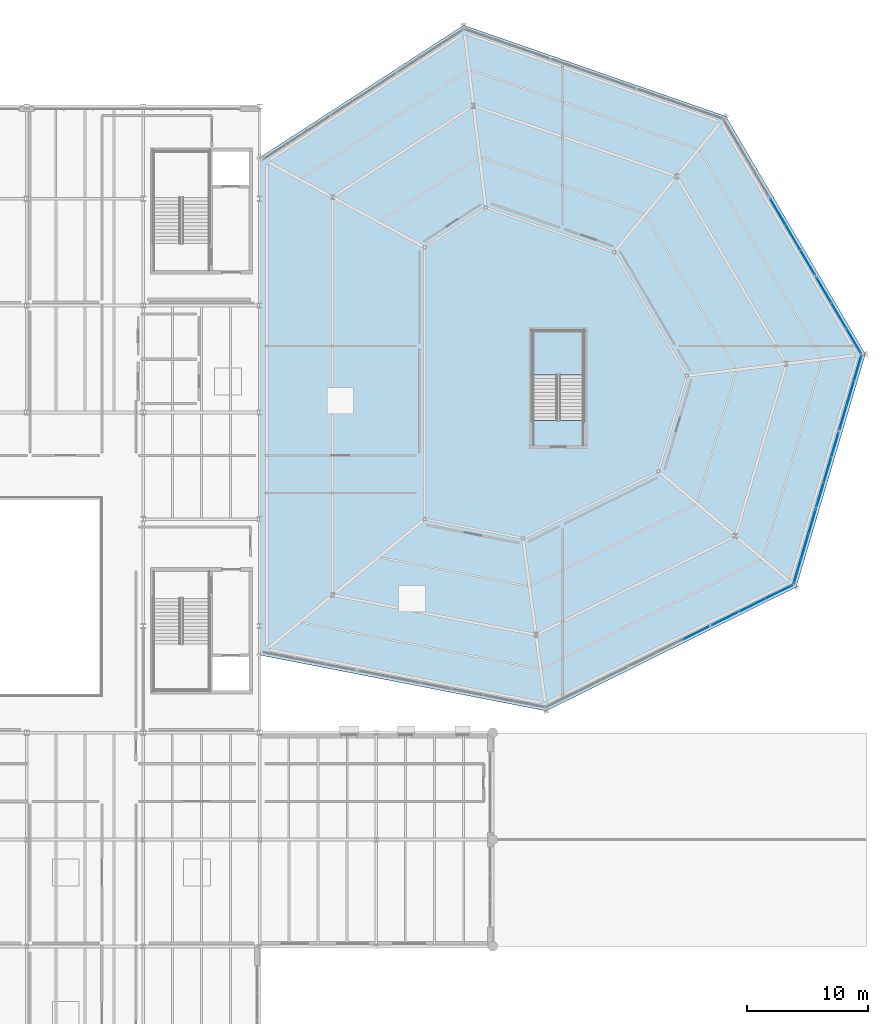
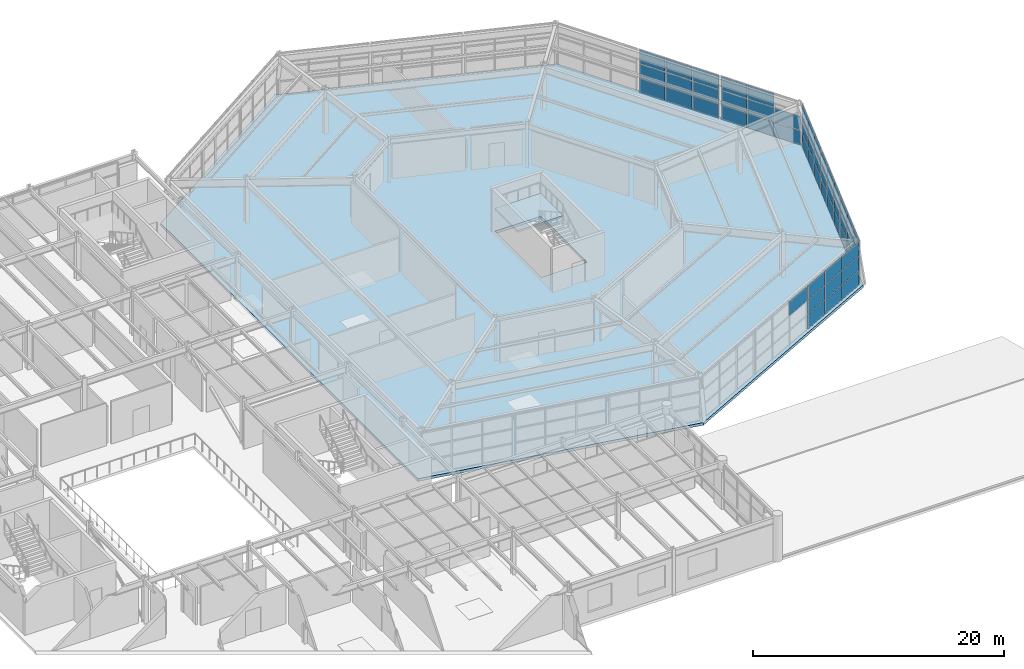
# One storey, part 51 of 77: 54 plates, 2 slabs, 8 elements without a shape of their own.
"""IFC4 building model written with IfcOpenShell, lengths in metres."""

from ifc_helpers import new_model, si_unit, direction, frame, origin, origin_2d, place, context, subcontext, project, spatial, polyline, rectangle, outline, extrude, material, layer, layer_set, type_object, element, aggregate, save


model = new_model("IFC4")

# Units and contexts
model_context = context("Model", 3, precision=1e-05, world=origin(), true_north=direction((0.0, 1.0)))
body_context = subcontext(model_context, "Body", "Model", "MODEL_VIEW")
ifc_project = project(units=[si_unit("LENGTHUNIT", "METRE"), si_unit("AREAUNIT", "SQUARE_METRE"), si_unit("VOLUMEUNIT", "CUBIC_METRE"), si_unit("PLANEANGLEUNIT", "RADIAN"), si_unit("MASSUNIT", "GRAM", prefix="KILO")], contexts=[model_context])

# Site, building, storey
site_placement = place(None, origin())
site = spatial("IfcSite", under=ifc_project, at=site_placement, CompositionType="ELEMENT")
building_placement = place(site_placement, origin())
building = spatial("IfcBuilding", under=site, at=building_placement, Name="Sarnbrook Museum", CompositionType="ELEMENT")
storey_placement = place(building_placement, frame((0.0, 0.0, 5.60009765625)))
storey = spatial("IfcBuildingStorey", under=building, at=storey_placement, Name="L01", CompositionType="ELEMENT", Elevation=5.60009765625)

# Curtain wall, plate
ifc_material_1 = material(Name="Thermally Broken Anodised Aluminium 6063-T6", Category="aluminium")
curtain_wall_type = type_object("IfcCurtainWallType", Name="CurtainWall_CrystalFacet", PredefinedType="NOTDEFINED", material=ifc_material_1)
curtain_wall_1_placement = place(storey_placement, origin())
curtain_wall_1 = element("IfcCurtainWall", 1, at=curtain_wall_1_placement, inside=storey, type_object=curtain_wall_type, Name="Crystal Hall Facet Curtain Wall L01-F2.2", PredefinedType="NOTDEFINED")
ifc_material_2 = material(Name="Double-Glazed Low-Iron Laminated Safety Glass", Category="glass")
ifc_layer_1 = layer(ifc_material_2, 0.031982421875)
ifc_layer_set_1 = layer_set([ifc_layer_1], Name="Double-Glazed Low-Iron Laminated Safety Glass")
plate_type_1 = type_object("IfcPlateType", Name="CW_GlazedPanel_32", PredefinedType="CURTAIN_PANEL", material=ifc_layer_set_1)
plate_1_placement = place(storey_placement, frame((155.179931640625, 65.05029296875, 3.544921875), z_axis=(0.443728570944, -0.896161232886, 0.0), x_axis=(0.896161232886, 0.443728570944, 0.0)))
plate_1 = element("IfcPlate", 2, at=plate_1_placement, type_object=plate_type_1, Name="Crystal Hall Facet Curtain Wall L01-F2.2 Glazed Panel 3-3", PredefinedType="CURTAIN_PANEL", context=body_context, shape_type="SweptSolid", body=[
    extrude(rectangle(XDim=2.40185546875, YDim=1.320068359375, at=origin_2d()), origin(), (0.0, 0.0, 1.0), 0.031982421875),
])
aggregate(curtain_wall_1, [plate_1])

# Curtain wall, plates
curtain_wall_2_placement = place(storey_placement, origin())
curtain_wall_2 = element("IfcCurtainWall", 3, at=curtain_wall_2_placement, inside=storey, type_object=curtain_wall_type, Name="Crystal Hall Facet Curtain Wall L01-F2.3", PredefinedType="NOTDEFINED")
plate_2_placement = place(storey_placement, frame((157.54296875, 66.22021484375, 2.14990234375), z_axis=(0.443728570944, -0.896161232886, 0.0), x_axis=(0.896161232886, 0.443728570944, 0.0)))
plate_2 = element("IfcPlate", 4, at=plate_2_placement, type_object=plate_type_1, Name="Crystal Hall Facet Curtain Wall L01-F2.3 Glazed Panel 1-2", PredefinedType="CURTAIN_PANEL", context=body_context, shape_type="SweptSolid", body=[
    extrude(rectangle(XDim=2.40185546875, YDim=1.330078125, at=origin_2d()), origin(), (0.0, 0.0, 1.0), 0.031982421875),
])
plate_3_placement = place(storey_placement, frame((157.54296875, 66.22021484375, 3.544921875), z_axis=(0.443728570944, -0.896161232886, 0.0), x_axis=(0.896161232886, 0.443728570944, 0.0)))
plate_3 = element("IfcPlate", 5, at=plate_3_placement, type_object=plate_type_1, Name="Crystal Hall Facet Curtain Wall L01-F2.3 Glazed Panel 1-3", PredefinedType="CURTAIN_PANEL", context=body_context, shape_type="SweptSolid", body=[
    extrude(rectangle(XDim=2.40185546875, YDim=1.320068359375, at=origin_2d()), origin(), (0.0, 0.0, 1.0), 0.031982421875),
])
plate_4_placement = place(storey_placement, frame((159.762451171875, 67.3193359375, 2.14990234375), z_axis=(0.443728570944, -0.896161232886, 0.0), x_axis=(0.896161232886, 0.443728570944, 0.0)))
plate_4 = element("IfcPlate", 6, at=plate_4_placement, type_object=plate_type_1, Name="Crystal Hall Facet Curtain Wall L01-F2.3 Glazed Panel 2-2", PredefinedType="CURTAIN_PANEL", context=body_context, shape_type="SweptSolid", body=[
    extrude(rectangle(XDim=2.40185546875, YDim=1.330078125, at=origin_2d()), origin(), (0.0, 0.0, 1.0), 0.031982421875),
])
plate_5_placement = place(storey_placement, frame((159.762451171875, 67.3193359375, 3.544921875), z_axis=(0.443728570944, -0.896161232886, 0.0), x_axis=(0.896161232886, 0.443728570944, 0.0)))
plate_5 = element("IfcPlate", 7, at=plate_5_placement, type_object=plate_type_1, Name="Crystal Hall Facet Curtain Wall L01-F2.3 Glazed Panel 2-3", PredefinedType="CURTAIN_PANEL", context=body_context, shape_type="SweptSolid", body=[
    extrude(rectangle(XDim=2.40185546875, YDim=1.320068359375, at=origin_2d()), origin(), (0.0, 0.0, 1.0), 0.031982421875),
])
plate_6_placement = place(storey_placement, frame((161.982177734375, 68.418212890625, 2.14990234375), z_axis=(0.443728570944, -0.896161232886, 0.0), x_axis=(0.896161232886, 0.443728570944, 0.0)))
plate_6 = element("IfcPlate", 8, at=plate_6_placement, type_object=plate_type_1, Name="Crystal Hall Facet Curtain Wall L01-F2.3 Glazed Panel 3-2", PredefinedType="CURTAIN_PANEL", context=body_context, shape_type="SweptSolid", body=[
    extrude(rectangle(XDim=2.40185546875, YDim=1.330078125, at=origin_2d()), origin(), (0.0, 0.0, 1.0), 0.031982421875),
])
plate_7_placement = place(storey_placement, frame((161.982177734375, 68.418212890625, 3.544921875), z_axis=(0.443728570944, -0.896161232886, 0.0), x_axis=(0.896161232886, 0.443728570944, 0.0)))
plate_7 = element("IfcPlate", 9, at=plate_7_placement, type_object=plate_type_1, Name="Crystal Hall Facet Curtain Wall L01-F2.3 Glazed Panel 3-3", PredefinedType="CURTAIN_PANEL", context=body_context, shape_type="SweptSolid", body=[
    extrude(rectangle(XDim=2.40185546875, YDim=1.320068359375, at=origin_2d()), origin(), (0.0, 0.0, 1.0), 0.031982421875),
])

curtain_wall_3_placement = place(storey_placement, origin())
curtain_wall_3 = element("IfcCurtainWall", 10, at=curtain_wall_3_placement, inside=storey, type_object=curtain_wall_type, Name="Crystal Hall Facet Curtain Wall L01-F3.1", PredefinedType="NOTDEFINED")
plate_8_placement = place(storey_placement, frame((163.4873046875, 70.103271484375, 2.14990234375), z_axis=(0.958646693927, -0.284598868978, 0.0), x_axis=(0.284598868978, 0.958646693927, 0.0)))
plate_8 = element("IfcPlate", 11, at=plate_8_placement, type_object=plate_type_1, Name="Crystal Hall Facet Curtain Wall L01-F3.1 Glazed Panel 1-2", PredefinedType="CURTAIN_PANEL", context=body_context, shape_type="SweptSolid", body=[
    extrude(rectangle(XDim=2.070068359375, YDim=1.330078125, at=origin_2d()), origin(), (0.0, 0.0, 1.0), 0.031982421875),
])
plate_9_placement = place(storey_placement, frame((163.4873046875, 70.103271484375, 3.544921875), z_axis=(0.958646693927, -0.284598868978, 0.0), x_axis=(0.284598868978, 0.958646693927, 0.0)))
plate_9 = element("IfcPlate", 12, at=plate_9_placement, type_object=plate_type_1, Name="Crystal Hall Facet Curtain Wall L01-F3.1 Glazed Panel 1-3", PredefinedType="CURTAIN_PANEL", context=body_context, shape_type="SweptSolid", body=[
    extrude(rectangle(XDim=2.070068359375, YDim=1.320068359375, at=origin_2d()), origin(), (0.0, 0.0, 1.0), 0.031982421875),
])
plate_10_placement = place(storey_placement, frame((164.097900390625, 72.15966796875, 2.14990234375), z_axis=(0.958646693927, -0.284598868978, 0.0), x_axis=(0.284598868978, 0.958646693927, 0.0)))
plate_10 = element("IfcPlate", 13, at=plate_10_placement, type_object=plate_type_1, Name="Crystal Hall Facet Curtain Wall L01-F3.1 Glazed Panel 2-2", PredefinedType="CURTAIN_PANEL", context=body_context, shape_type="SweptSolid", body=[
    extrude(rectangle(XDim=2.070068359375, YDim=1.330078125, at=origin_2d()), origin(), (0.0, 0.0, 1.0), 0.031982421875),
])
plate_11_placement = place(storey_placement, frame((164.097900390625, 72.15966796875, 3.544921875), z_axis=(0.958646693927, -0.284598868978, 0.0), x_axis=(0.284598868978, 0.958646693927, 0.0)))
plate_11 = element("IfcPlate", 14, at=plate_11_placement, type_object=plate_type_1, Name="Crystal Hall Facet Curtain Wall L01-F3.1 Glazed Panel 2-3", PredefinedType="CURTAIN_PANEL", context=body_context, shape_type="SweptSolid", body=[
    extrude(rectangle(XDim=2.070068359375, YDim=1.320068359375, at=origin_2d()), origin(), (0.0, 0.0, 1.0), 0.031982421875),
])
plate_12_placement = place(storey_placement, frame((164.708251953125, 74.216064453125, 2.14990234375), z_axis=(0.958646693927, -0.284598868978, 0.0), x_axis=(0.284598868978, 0.958646693927, 0.0)))
plate_12 = element("IfcPlate", 15, at=plate_12_placement, type_object=plate_type_1, Name="Crystal Hall Facet Curtain Wall L01-F3.1 Glazed Panel 3-2", PredefinedType="CURTAIN_PANEL", context=body_context, shape_type="SweptSolid", body=[
    extrude(rectangle(XDim=2.070068359375, YDim=1.330078125, at=origin_2d()), origin(), (0.0, 0.0, 1.0), 0.031982421875),
])
plate_13_placement = place(storey_placement, frame((164.708251953125, 74.216064453125, 3.544921875), z_axis=(0.958646693927, -0.284598868978, 0.0), x_axis=(0.284598868978, 0.958646693927, 0.0)))
plate_13 = element("IfcPlate", 16, at=plate_13_placement, type_object=plate_type_1, Name="Crystal Hall Facet Curtain Wall L01-F3.1 Glazed Panel 3-3", PredefinedType="CURTAIN_PANEL", context=body_context, shape_type="SweptSolid", body=[
    extrude(rectangle(XDim=2.070068359375, YDim=1.320068359375, at=origin_2d()), origin(), (0.0, 0.0, 1.0), 0.031982421875),
])

curtain_wall_4_placement = place(storey_placement, origin())
curtain_wall_4 = element("IfcCurtainWall", 17, at=curtain_wall_4_placement, inside=storey, type_object=curtain_wall_type, Name="Crystal Hall Facet Curtain Wall L01-F3.2", PredefinedType="NOTDEFINED")
plate_14_placement = place(storey_placement, frame((165.3642578125, 76.42578125, 2.14990234375), z_axis=(0.958646693927, -0.284598868978, 0.0), x_axis=(0.284598868978, 0.958646693927, 0.0)))
plate_14 = element("IfcPlate", 18, at=plate_14_placement, type_object=plate_type_1, Name="Crystal Hall Facet Curtain Wall L01-F3.2 Glazed Panel 1-2", PredefinedType="CURTAIN_PANEL", context=body_context, shape_type="SweptSolid", body=[
    extrude(rectangle(XDim=2.070068359375, YDim=1.330078125, at=origin_2d()), origin(), (0.0, 0.0, 1.0), 0.031982421875),
])
plate_15_placement = place(storey_placement, frame((165.3642578125, 76.42578125, 3.544921875), z_axis=(0.958646693927, -0.284598868978, 0.0), x_axis=(0.284598868978, 0.958646693927, 0.0)))
plate_15 = element("IfcPlate", 19, at=plate_15_placement, type_object=plate_type_1, Name="Crystal Hall Facet Curtain Wall L01-F3.2 Glazed Panel 1-3", PredefinedType="CURTAIN_PANEL", context=body_context, shape_type="SweptSolid", body=[
    extrude(rectangle(XDim=2.070068359375, YDim=1.320068359375, at=origin_2d()), origin(), (0.0, 0.0, 1.0), 0.031982421875),
])
plate_16_placement = place(storey_placement, frame((165.974853515625, 78.48193359375, 2.14990234375), z_axis=(0.958646693927, -0.284598868978, 0.0), x_axis=(0.284598868978, 0.958646693927, 0.0)))
plate_16 = element("IfcPlate", 20, at=plate_16_placement, type_object=plate_type_1, Name="Crystal Hall Facet Curtain Wall L01-F3.2 Glazed Panel 2-2", PredefinedType="CURTAIN_PANEL", context=body_context, shape_type="SweptSolid", body=[
    extrude(rectangle(XDim=2.070068359375, YDim=1.330078125, at=origin_2d()), origin(), (0.0, 0.0, 1.0), 0.031982421875),
])
plate_17_placement = place(storey_placement, frame((165.974853515625, 78.48193359375, 3.544921875), z_axis=(0.958646693927, -0.284598868978, 0.0), x_axis=(0.284598868978, 0.958646693927, 0.0)))
plate_17 = element("IfcPlate", 21, at=plate_17_placement, type_object=plate_type_1, Name="Crystal Hall Facet Curtain Wall L01-F3.2 Glazed Panel 2-3", PredefinedType="CURTAIN_PANEL", context=body_context, shape_type="SweptSolid", body=[
    extrude(rectangle(XDim=2.070068359375, YDim=1.320068359375, at=origin_2d()), origin(), (0.0, 0.0, 1.0), 0.031982421875),
])
plate_18_placement = place(storey_placement, frame((166.585205078125, 80.538330078125, 2.14990234375), z_axis=(0.958646693927, -0.284598868978, 0.0), x_axis=(0.284598868978, 0.958646693927, 0.0)))
plate_18 = element("IfcPlate", 22, at=plate_18_placement, type_object=plate_type_1, Name="Crystal Hall Facet Curtain Wall L01-F3.2 Glazed Panel 3-2", PredefinedType="CURTAIN_PANEL", context=body_context, shape_type="SweptSolid", body=[
    extrude(rectangle(XDim=2.070068359375, YDim=1.330078125, at=origin_2d()), origin(), (0.0, 0.0, 1.0), 0.031982421875),
])
plate_19_placement = place(storey_placement, frame((166.585205078125, 80.538330078125, 3.544921875), z_axis=(0.958646693927, -0.284598868978, 0.0), x_axis=(0.284598868978, 0.958646693927, 0.0)))
plate_19 = element("IfcPlate", 23, at=plate_19_placement, type_object=plate_type_1, Name="Crystal Hall Facet Curtain Wall L01-F3.2 Glazed Panel 3-3", PredefinedType="CURTAIN_PANEL", context=body_context, shape_type="SweptSolid", body=[
    extrude(rectangle(XDim=2.070068359375, YDim=1.320068359375, at=origin_2d()), origin(), (0.0, 0.0, 1.0), 0.031982421875),
])

curtain_wall_5_placement = place(storey_placement, origin())
curtain_wall_5 = element("IfcCurtainWall", 24, at=curtain_wall_5_placement, inside=storey, type_object=curtain_wall_type, Name="Crystal Hall Facet Curtain Wall L01-F3.3", PredefinedType="NOTDEFINED")
plate_20_placement = place(storey_placement, frame((167.2412109375, 82.748046875, 2.14990234375), z_axis=(0.958646693927, -0.284598868978, 0.0), x_axis=(0.284598868978, 0.958646693927, 0.0)))
plate_20 = element("IfcPlate", 25, at=plate_20_placement, type_object=plate_type_1, Name="Crystal Hall Facet Curtain Wall L01-F3.3 Glazed Panel 1-2", PredefinedType="CURTAIN_PANEL", context=body_context, shape_type="SweptSolid", body=[
    extrude(rectangle(XDim=2.070068359375, YDim=1.330078125, at=origin_2d()), origin(), (0.0, 0.0, 1.0), 0.031982421875),
])
plate_21_placement = place(storey_placement, frame((167.2412109375, 82.748046875, 3.544921875), z_axis=(0.958646693927, -0.284598868978, 0.0), x_axis=(0.284598868978, 0.958646693927, 0.0)))
plate_21 = element("IfcPlate", 26, at=plate_21_placement, type_object=plate_type_1, Name="Crystal Hall Facet Curtain Wall L01-F3.3 Glazed Panel 1-3", PredefinedType="CURTAIN_PANEL", context=body_context, shape_type="SweptSolid", body=[
    extrude(rectangle(XDim=2.070068359375, YDim=1.320068359375, at=origin_2d()), origin(), (0.0, 0.0, 1.0), 0.031982421875),
])
plate_22_placement = place(storey_placement, frame((167.851806640625, 84.804443359375, 2.14990234375), z_axis=(0.958646693927, -0.284598868978, 0.0), x_axis=(0.284598868978, 0.958646693927, 0.0)))
plate_22 = element("IfcPlate", 27, at=plate_22_placement, type_object=plate_type_1, Name="Crystal Hall Facet Curtain Wall L01-F3.3 Glazed Panel 2-2", PredefinedType="CURTAIN_PANEL", context=body_context, shape_type="SweptSolid", body=[
    extrude(rectangle(XDim=2.070068359375, YDim=1.330078125, at=origin_2d()), origin(), (0.0, 0.0, 1.0), 0.031982421875),
])
plate_23_placement = place(storey_placement, frame((167.851806640625, 84.804443359375, 3.544921875), z_axis=(0.958646693927, -0.284598868978, 0.0), x_axis=(0.284598868978, 0.958646693927, 0.0)))
plate_23 = element("IfcPlate", 28, at=plate_23_placement, type_object=plate_type_1, Name="Crystal Hall Facet Curtain Wall L01-F3.3 Glazed Panel 2-3", PredefinedType="CURTAIN_PANEL", context=body_context, shape_type="SweptSolid", body=[
    extrude(rectangle(XDim=2.070068359375, YDim=1.320068359375, at=origin_2d()), origin(), (0.0, 0.0, 1.0), 0.031982421875),
])
plate_24_placement = place(storey_placement, frame((168.46240234375, 86.86083984375, 2.14990234375), z_axis=(0.958646693927, -0.284598868978, 0.0), x_axis=(0.284598868978, 0.958646693927, 0.0)))
plate_24 = element("IfcPlate", 29, at=plate_24_placement, type_object=plate_type_1, Name="Crystal Hall Facet Curtain Wall L01-F3.3 Glazed Panel 3-2", PredefinedType="CURTAIN_PANEL", context=body_context, shape_type="SweptSolid", body=[
    extrude(rectangle(XDim=2.070068359375, YDim=1.330078125, at=origin_2d()), origin(), (0.0, 0.0, 1.0), 0.031982421875),
])
plate_25_placement = place(storey_placement, frame((168.46240234375, 86.86083984375, 3.544921875), z_axis=(0.958646693927, -0.284598868978, 0.0), x_axis=(0.284598868978, 0.958646693927, 0.0)))
plate_25 = element("IfcPlate", 30, at=plate_25_placement, type_object=plate_type_1, Name="Crystal Hall Facet Curtain Wall L01-F3.3 Glazed Panel 3-3", PredefinedType="CURTAIN_PANEL", context=body_context, shape_type="SweptSolid", body=[
    extrude(rectangle(XDim=2.070068359375, YDim=1.320068359375, at=origin_2d()), origin(), (0.0, 0.0, 1.0), 0.031982421875),
])

curtain_wall_6_placement = place(storey_placement, origin())
curtain_wall_6 = element("IfcCurtainWall", 31, at=curtain_wall_6_placement, inside=storey, type_object=curtain_wall_type, Name="Crystal Hall Facet Curtain Wall L01-F4.1", PredefinedType="NOTDEFINED")
plate_26_placement = place(storey_placement, frame((168.131591796875, 89.08349609375, 2.14990234375), z_axis=(0.86249818812, 0.506060150071, 0.0), x_axis=(-0.506060150071, 0.86249818812, 0.0)))
plate_26 = element("IfcPlate", 32, at=plate_26_placement, type_object=plate_type_1, Name="Crystal Hall Facet Curtain Wall L01-F4.1 Glazed Panel 1-2", PredefinedType="CURTAIN_PANEL", context=body_context, shape_type="SweptSolid", body=[
    extrude(rectangle(XDim=2.37158203125, YDim=1.330078125, at=origin_2d()), origin(), (0.0, 0.0, 1.0), 0.031982421875),
])
plate_27_placement = place(storey_placement, frame((166.893310546875, 91.19384765625, 2.14990234375), z_axis=(0.86249818812, 0.506060150071, 0.0), x_axis=(-0.506060150071, 0.86249818812, 0.0)))
plate_27 = element("IfcPlate", 33, at=plate_27_placement, type_object=plate_type_1, Name="Crystal Hall Facet Curtain Wall L01-F4.1 Glazed Panel 2-2", PredefinedType="CURTAIN_PANEL", context=body_context, shape_type="SweptSolid", body=[
    extrude(rectangle(XDim=2.37158203125, YDim=1.330078125, at=origin_2d()), origin(), (0.0, 0.0, 1.0), 0.031982421875),
])
plate_28_placement = place(storey_placement, frame((166.893310546875, 91.19384765625, 3.544921875), z_axis=(0.86249818812, 0.506060150071, 0.0), x_axis=(-0.506060150071, 0.86249818812, 0.0)))
plate_28 = element("IfcPlate", 34, at=plate_28_placement, type_object=plate_type_1, Name="Crystal Hall Facet Curtain Wall L01-F4.1 Glazed Panel 2-3", PredefinedType="CURTAIN_PANEL", context=body_context, shape_type="SweptSolid", body=[
    extrude(rectangle(XDim=2.37158203125, YDim=1.320068359375, at=origin_2d()), origin(), (0.0, 0.0, 1.0), 0.031982421875),
])
plate_29_placement = place(storey_placement, frame((165.6552734375, 93.303955078125, 2.14990234375), z_axis=(0.86249818812, 0.506060150071, 0.0), x_axis=(-0.506060150071, 0.86249818812, 0.0)))
plate_29 = element("IfcPlate", 35, at=plate_29_placement, type_object=plate_type_1, Name="Crystal Hall Facet Curtain Wall L01-F4.1 Glazed Panel 3-2", PredefinedType="CURTAIN_PANEL", context=body_context, shape_type="SweptSolid", body=[
    extrude(rectangle(XDim=2.37158203125, YDim=1.330078125, at=origin_2d()), origin(), (0.0, 0.0, 1.0), 0.031982421875),
])
plate_30_placement = place(storey_placement, frame((165.6552734375, 93.303955078125, 3.544921875), z_axis=(0.86249818812, 0.506060150071, 0.0), x_axis=(-0.506060150071, 0.86249818812, 0.0)))
plate_30 = element("IfcPlate", 36, at=plate_30_placement, type_object=plate_type_1, Name="Crystal Hall Facet Curtain Wall L01-F4.1 Glazed Panel 3-3", PredefinedType="CURTAIN_PANEL", context=body_context, shape_type="SweptSolid", body=[
    extrude(rectangle(XDim=2.37158203125, YDim=1.320068359375, at=origin_2d()), origin(), (0.0, 0.0, 1.0), 0.031982421875),
])

curtain_wall_7_placement = place(storey_placement, origin())
curtain_wall_7 = element("IfcCurtainWall", 37, at=curtain_wall_7_placement, inside=storey, type_object=curtain_wall_type, Name="Crystal Hall Facet Curtain Wall L01-F4.2", PredefinedType="NOTDEFINED")
plate_31_placement = place(storey_placement, frame((164.3359375, 95.55224609375, 2.14990234375), z_axis=(0.86249818812, 0.506060150071, 0.0), x_axis=(-0.506060150071, 0.86249818812, 0.0)))
plate_31 = element("IfcPlate", 38, at=plate_31_placement, type_object=plate_type_1, Name="Crystal Hall Facet Curtain Wall L01-F4.2 Glazed Panel 1-2", PredefinedType="CURTAIN_PANEL", context=body_context, shape_type="SweptSolid", body=[
    extrude(rectangle(XDim=2.37158203125, YDim=1.330078125, at=origin_2d()), origin(), (0.0, 0.0, 1.0), 0.031982421875),
])
plate_32_placement = place(storey_placement, frame((164.3359375, 95.55224609375, 3.544921875), z_axis=(0.86249818812, 0.506060150071, 0.0), x_axis=(-0.506060150071, 0.86249818812, 0.0)))
plate_32 = element("IfcPlate", 39, at=plate_32_placement, type_object=plate_type_1, Name="Crystal Hall Facet Curtain Wall L01-F4.2 Glazed Panel 1-3", PredefinedType="CURTAIN_PANEL", context=body_context, shape_type="SweptSolid", body=[
    extrude(rectangle(XDim=2.37158203125, YDim=1.320068359375, at=origin_2d()), origin(), (0.0, 0.0, 1.0), 0.031982421875),
])
plate_33_placement = place(storey_placement, frame((163.097900390625, 97.66259765625, 2.14990234375), z_axis=(0.86249818812, 0.506060150071, 0.0), x_axis=(-0.506060150071, 0.86249818812, 0.0)))
plate_33 = element("IfcPlate", 40, at=plate_33_placement, type_object=plate_type_1, Name="Crystal Hall Facet Curtain Wall L01-F4.2 Glazed Panel 2-2", PredefinedType="CURTAIN_PANEL", context=body_context, shape_type="SweptSolid", body=[
    extrude(rectangle(XDim=2.37158203125, YDim=1.330078125, at=origin_2d()), origin(), (0.0, 0.0, 1.0), 0.031982421875),
])
plate_34_placement = place(storey_placement, frame((163.097900390625, 97.66259765625, 3.544921875), z_axis=(0.86249818812, 0.506060150071, 0.0), x_axis=(-0.506060150071, 0.86249818812, 0.0)))
plate_34 = element("IfcPlate", 41, at=plate_34_placement, type_object=plate_type_1, Name="Crystal Hall Facet Curtain Wall L01-F4.2 Glazed Panel 2-3", PredefinedType="CURTAIN_PANEL", context=body_context, shape_type="SweptSolid", body=[
    extrude(rectangle(XDim=2.37158203125, YDim=1.320068359375, at=origin_2d()), origin(), (0.0, 0.0, 1.0), 0.031982421875),
])
plate_35_placement = place(storey_placement, frame((161.859619140625, 99.77294921875, 2.14990234375), z_axis=(0.86249818812, 0.506060150071, 0.0), x_axis=(-0.506060150071, 0.86249818812, 0.0)))
plate_35 = element("IfcPlate", 42, at=plate_35_placement, type_object=plate_type_1, Name="Crystal Hall Facet Curtain Wall L01-F4.2 Glazed Panel 3-2", PredefinedType="CURTAIN_PANEL", context=body_context, shape_type="SweptSolid", body=[
    extrude(rectangle(XDim=2.37158203125, YDim=1.330078125, at=origin_2d()), origin(), (0.0, 0.0, 1.0), 0.031982421875),
])
plate_36_placement = place(storey_placement, frame((161.859619140625, 99.77294921875, 3.544921875), z_axis=(0.86249818812, 0.506060150071, 0.0), x_axis=(-0.506060150071, 0.86249818812, 0.0)))
plate_36 = element("IfcPlate", 43, at=plate_36_placement, type_object=plate_type_1, Name="Crystal Hall Facet Curtain Wall L01-F4.2 Glazed Panel 3-3", PredefinedType="CURTAIN_PANEL", context=body_context, shape_type="SweptSolid", body=[
    extrude(rectangle(XDim=2.37158203125, YDim=1.320068359375, at=origin_2d()), origin(), (0.0, 0.0, 1.0), 0.031982421875),
])

# Plate
ifc_material_3 = material(Name="Patinated Architectural Bronze")
ifc_layer_2 = layer(ifc_material_3, 0.044921875)
ifc_layer_set_2 = layer_set([ifc_layer_2], Name="Patinated Architectural Bronze")
plate_type_2 = type_object("IfcPlateType", Name="CW_SpandrelPanel_45", PredefinedType="CURTAIN_PANEL", material=ifc_layer_set_2)
plate_37_placement = place(storey_placement, frame((157.5400390625, 66.225830078125, 0.724853515625), z_axis=(0.443728570944, -0.896161232886, 0.0), x_axis=(0.896161232886, 0.443728570944, 0.0)))
plate_37 = element("IfcPlate", 44, at=plate_37_placement, type_object=plate_type_2, Name="Crystal Hall Facet Curtain Wall L01-F2.3 Spandrel Panel 1-1", PredefinedType="CURTAIN_PANEL", context=body_context, shape_type="SweptSolid", body=[
    extrude(rectangle(XDim=2.40185546875, YDim=1.3798828125, at=origin_2d()), origin(), (0.0, 0.0, 1.0), 0.044921875),
])

plate_38_placement = place(storey_placement, frame((159.759521484375, 67.324951171875, 0.724853515625), z_axis=(0.443728570944, -0.896161232886, 0.0), x_axis=(0.896161232886, 0.443728570944, 0.0)))
plate_38 = element("IfcPlate", 45, at=plate_38_placement, type_object=plate_type_2, Name="Crystal Hall Facet Curtain Wall L01-F2.3 Spandrel Panel 2-1", PredefinedType="CURTAIN_PANEL", context=body_context, shape_type="SweptSolid", body=[
    extrude(rectangle(XDim=2.40185546875, YDim=1.3798828125, at=origin_2d()), origin(), (0.0, 0.0, 1.0), 0.044921875),
])

plate_39_placement = place(storey_placement, frame((161.979248046875, 68.423828125, 0.724853515625), z_axis=(0.443728570944, -0.896161232886, 0.0), x_axis=(0.896161232886, 0.443728570944, 0.0)))
plate_39 = element("IfcPlate", 46, at=plate_39_placement, type_object=plate_type_2, Name="Crystal Hall Facet Curtain Wall L01-F2.3 Spandrel Panel 3-1", PredefinedType="CURTAIN_PANEL", context=body_context, shape_type="SweptSolid", body=[
    extrude(rectangle(XDim=2.40185546875, YDim=1.3798828125, at=origin_2d()), origin(), (0.0, 0.0, 1.0), 0.044921875),
])

aggregate(curtain_wall_2, [plate_37, plate_2, plate_3, plate_38, plate_4, plate_5, plate_39, plate_6, plate_7])

plate_40_placement = place(storey_placement, frame((163.481201171875, 70.10498046875, 0.724853515625), z_axis=(0.958646693927, -0.284598868978, 0.0), x_axis=(0.284598868978, 0.958646693927, 0.0)))
plate_40 = element("IfcPlate", 47, at=plate_40_placement, type_object=plate_type_2, Name="Crystal Hall Facet Curtain Wall L01-F3.1 Spandrel Panel 1-1", PredefinedType="CURTAIN_PANEL", context=body_context, shape_type="SweptSolid", body=[
    extrude(rectangle(XDim=2.070068359375, YDim=1.3798828125, at=origin_2d()), origin(), (0.0, 0.0, 1.0), 0.044921875),
])

plate_41_placement = place(storey_placement, frame((164.091796875, 72.161376953125, 0.724853515625), z_axis=(0.958646693927, -0.284598868978, 0.0), x_axis=(0.284598868978, 0.958646693927, 0.0)))
plate_41 = element("IfcPlate", 48, at=plate_41_placement, type_object=plate_type_2, Name="Crystal Hall Facet Curtain Wall L01-F3.1 Spandrel Panel 2-1", PredefinedType="CURTAIN_PANEL", context=body_context, shape_type="SweptSolid", body=[
    extrude(rectangle(XDim=2.070068359375, YDim=1.3798828125, at=origin_2d()), origin(), (0.0, 0.0, 1.0), 0.044921875),
])

plate_42_placement = place(storey_placement, frame((164.7021484375, 74.2177734375, 0.724853515625), z_axis=(0.958646693927, -0.284598868978, 0.0), x_axis=(0.284598868978, 0.958646693927, 0.0)))
plate_42 = element("IfcPlate", 49, at=plate_42_placement, type_object=plate_type_2, Name="Crystal Hall Facet Curtain Wall L01-F3.1 Spandrel Panel 3-1", PredefinedType="CURTAIN_PANEL", context=body_context, shape_type="SweptSolid", body=[
    extrude(rectangle(XDim=2.070068359375, YDim=1.3798828125, at=origin_2d()), origin(), (0.0, 0.0, 1.0), 0.044921875),
])

aggregate(curtain_wall_3, [plate_40, plate_8, plate_9, plate_41, plate_10, plate_11, plate_42, plate_12, plate_13])

plate_43_placement = place(storey_placement, frame((165.358154296875, 76.427490234375, 0.724853515625), z_axis=(0.958646693927, -0.284598868978, 0.0), x_axis=(0.284598868978, 0.958646693927, 0.0)))
plate_43 = element("IfcPlate", 50, at=plate_43_placement, type_object=plate_type_2, Name="Crystal Hall Facet Curtain Wall L01-F3.2 Spandrel Panel 1-1", PredefinedType="CURTAIN_PANEL", context=body_context, shape_type="SweptSolid", body=[
    extrude(rectangle(XDim=2.070068359375, YDim=1.3798828125, at=origin_2d()), origin(), (0.0, 0.0, 1.0), 0.044921875),
])

plate_44_placement = place(storey_placement, frame((165.96875, 78.483642578125, 0.724853515625), z_axis=(0.958646693927, -0.284598868978, 0.0), x_axis=(0.284598868978, 0.958646693927, 0.0)))
plate_44 = element("IfcPlate", 51, at=plate_44_placement, type_object=plate_type_2, Name="Crystal Hall Facet Curtain Wall L01-F3.2 Spandrel Panel 2-1", PredefinedType="CURTAIN_PANEL", context=body_context, shape_type="SweptSolid", body=[
    extrude(rectangle(XDim=2.070068359375, YDim=1.3798828125, at=origin_2d()), origin(), (0.0, 0.0, 1.0), 0.044921875),
])

plate_45_placement = place(storey_placement, frame((166.5791015625, 80.5400390625, 0.724853515625), z_axis=(0.958646693927, -0.284598868978, 0.0), x_axis=(0.284598868978, 0.958646693927, 0.0)))
plate_45 = element("IfcPlate", 52, at=plate_45_placement, type_object=plate_type_2, Name="Crystal Hall Facet Curtain Wall L01-F3.2 Spandrel Panel 3-1", PredefinedType="CURTAIN_PANEL", context=body_context, shape_type="SweptSolid", body=[
    extrude(rectangle(XDim=2.070068359375, YDim=1.3798828125, at=origin_2d()), origin(), (0.0, 0.0, 1.0), 0.044921875),
])

aggregate(curtain_wall_4, [plate_43, plate_14, plate_15, plate_44, plate_16, plate_17, plate_45, plate_18, plate_19])

plate_46_placement = place(storey_placement, frame((167.235107421875, 82.749755859375, 0.724853515625), z_axis=(0.958646693927, -0.284598868978, 0.0), x_axis=(0.284598868978, 0.958646693927, 0.0)))
plate_46 = element("IfcPlate", 53, at=plate_46_placement, type_object=plate_type_2, Name="Crystal Hall Facet Curtain Wall L01-F3.3 Spandrel Panel 1-1", PredefinedType="CURTAIN_PANEL", context=body_context, shape_type="SweptSolid", body=[
    extrude(rectangle(XDim=2.070068359375, YDim=1.3798828125, at=origin_2d()), origin(), (0.0, 0.0, 1.0), 0.044921875),
])

plate_47_placement = place(storey_placement, frame((167.845703125, 84.80615234375, 0.724853515625), z_axis=(0.958646693927, -0.284598868978, 0.0), x_axis=(0.284598868978, 0.958646693927, 0.0)))
plate_47 = element("IfcPlate", 54, at=plate_47_placement, type_object=plate_type_2, Name="Crystal Hall Facet Curtain Wall L01-F3.3 Spandrel Panel 2-1", PredefinedType="CURTAIN_PANEL", context=body_context, shape_type="SweptSolid", body=[
    extrude(rectangle(XDim=2.070068359375, YDim=1.3798828125, at=origin_2d()), origin(), (0.0, 0.0, 1.0), 0.044921875),
])

plate_48_placement = place(storey_placement, frame((168.456298828125, 86.862548828125, 0.724853515625), z_axis=(0.958646693927, -0.284598868978, 0.0), x_axis=(0.284598868978, 0.958646693927, 0.0)))
plate_48 = element("IfcPlate", 55, at=plate_48_placement, type_object=plate_type_2, Name="Crystal Hall Facet Curtain Wall L01-F3.3 Spandrel Panel 3-1", PredefinedType="CURTAIN_PANEL", context=body_context, shape_type="SweptSolid", body=[
    extrude(rectangle(XDim=2.070068359375, YDim=1.3798828125, at=origin_2d()), origin(), (0.0, 0.0, 1.0), 0.044921875),
])

aggregate(curtain_wall_5, [plate_46, plate_20, plate_21, plate_47, plate_22, plate_23, plate_48, plate_24, plate_25])

plate_49_placement = place(storey_placement, frame((168.1259765625, 89.080078125, 0.724853515625), z_axis=(0.86249818812, 0.506060150071, 0.0), x_axis=(-0.506060150071, 0.86249818812, 0.0)))
plate_49 = element("IfcPlate", 56, at=plate_49_placement, type_object=plate_type_2, Name="Crystal Hall Facet Curtain Wall L01-F4.1 Spandrel Panel 1-1", PredefinedType="CURTAIN_PANEL", context=body_context, shape_type="SweptSolid", body=[
    extrude(rectangle(XDim=2.37158203125, YDim=1.3798828125, at=origin_2d()), origin(), (0.0, 0.0, 1.0), 0.044921875),
])

plate_50_placement = place(storey_placement, frame((166.8876953125, 91.1904296875, 0.724853515625), z_axis=(0.86249818812, 0.506060150071, 0.0), x_axis=(-0.506060150071, 0.86249818812, 0.0)))
plate_50 = element("IfcPlate", 57, at=plate_50_placement, type_object=plate_type_2, Name="Crystal Hall Facet Curtain Wall L01-F4.1 Spandrel Panel 2-1", PredefinedType="CURTAIN_PANEL", context=body_context, shape_type="SweptSolid", body=[
    extrude(rectangle(XDim=2.37158203125, YDim=1.3798828125, at=origin_2d()), origin(), (0.0, 0.0, 1.0), 0.044921875),
])

plate_51_placement = place(storey_placement, frame((165.649658203125, 93.300537109375, 0.724853515625), z_axis=(0.86249818812, 0.506060150071, 0.0), x_axis=(-0.506060150071, 0.86249818812, 0.0)))
plate_51 = element("IfcPlate", 58, at=plate_51_placement, type_object=plate_type_2, Name="Crystal Hall Facet Curtain Wall L01-F4.1 Spandrel Panel 3-1", PredefinedType="CURTAIN_PANEL", context=body_context, shape_type="SweptSolid", body=[
    extrude(rectangle(XDim=2.37158203125, YDim=1.3798828125, at=origin_2d()), origin(), (0.0, 0.0, 1.0), 0.044921875),
])

aggregate(curtain_wall_6, [plate_49, plate_26, plate_50, plate_27, plate_28, plate_51, plate_29, plate_30])

plate_52_placement = place(storey_placement, frame((164.330322265625, 95.548828125, 0.724853515625), z_axis=(0.86249818812, 0.506060150071, 0.0), x_axis=(-0.506060150071, 0.86249818812, 0.0)))
plate_52 = element("IfcPlate", 59, at=plate_52_placement, type_object=plate_type_2, Name="Crystal Hall Facet Curtain Wall L01-F4.2 Spandrel Panel 1-1", PredefinedType="CURTAIN_PANEL", context=body_context, shape_type="SweptSolid", body=[
    extrude(rectangle(XDim=2.37158203125, YDim=1.3798828125, at=origin_2d()), origin(), (0.0, 0.0, 1.0), 0.044921875),
])

plate_53_placement = place(storey_placement, frame((163.09228515625, 97.6591796875, 0.724853515625), z_axis=(0.86249818812, 0.506060150071, 0.0), x_axis=(-0.506060150071, 0.86249818812, 0.0)))
plate_53 = element("IfcPlate", 60, at=plate_53_placement, type_object=plate_type_2, Name="Crystal Hall Facet Curtain Wall L01-F4.2 Spandrel Panel 2-1", PredefinedType="CURTAIN_PANEL", context=body_context, shape_type="SweptSolid", body=[
    extrude(rectangle(XDim=2.37158203125, YDim=1.3798828125, at=origin_2d()), origin(), (0.0, 0.0, 1.0), 0.044921875),
])

plate_54_placement = place(storey_placement, frame((161.85400390625, 99.76953125, 0.724853515625), z_axis=(0.86249818812, 0.506060150071, 0.0), x_axis=(-0.506060150071, 0.86249818812, 0.0)))
plate_54 = element("IfcPlate", 61, at=plate_54_placement, type_object=plate_type_2, Name="Crystal Hall Facet Curtain Wall L01-F4.2 Spandrel Panel 3-1", PredefinedType="CURTAIN_PANEL", context=body_context, shape_type="SweptSolid", body=[
    extrude(rectangle(XDim=2.37158203125, YDim=1.3798828125, at=origin_2d()), origin(), (0.0, 0.0, 1.0), 0.044921875),
])

aggregate(curtain_wall_7, [plate_52, plate_31, plate_32, plate_53, plate_33, plate_34, plate_54, plate_35, plate_36])

# Slab
ifc_material_4 = material(Name="Concrete N40 (AS 3600, f'c = 40 MPa)", Category="concrete")
ifc_layer_3 = layer(ifc_material_4, 0.260009765625)
ifc_layer_set_3 = layer_set([ifc_layer_3], Name="Concrete N40 (AS 3600, f'c = 40 MPa)")
slab_type_1 = type_object("IfcSlabType", Name="FloorSlab_260", PredefinedType="FLOOR", material=ifc_layer_set_3)
slab_1_placement = place(storey_placement, frame((0.0, 0.0, -0.260009765625)))
element("IfcSlab", 62, at=slab_1_placement, inside=storey, type_object=slab_type_1, Name="V1 Structural Slab L01", PredefinedType="FLOOR", context=body_context, shape_type="SweptSolid", body=[
    extrude(outline(polyline([(136.0, 115.10009765625), (157.60009765625, 107.60009765625), (169.10009765625, 88.0), (163.39990234375, 68.800048828125), (142.800048828125, 58.60009765625), (119.199951171875, 63.199951171875), (119.199951171875, 104.199951171875), (136.0, 115.10009765625)]), holes=[polyline([(145.89990234375, 82.5205078125), (141.699951171875, 82.5205078125), (141.699951171875, 89.89990234375), (145.89990234375, 89.89990234375), (145.89990234375, 82.5205078125)])]), origin(), (0.0, 0.0, 1.0), 0.260009765625),
])

# Stair, slab
stair_type = type_object("IfcStairType", Name="Stair_ST07", PredefinedType="HALF_TURN_STAIR", material=ifc_material_4)
stair_placement = place(storey_placement, origin())
stair = element("IfcStair", 63, at=stair_placement, inside=storey, type_object=stair_type, Name="L01 Exit Stair ST7", PredefinedType="HALF_TURN_STAIR")
ifc_layer_4 = layer(ifc_material_4, 0.199951171875)
ifc_layer_set_4 = layer_set([ifc_layer_4], Name="Concrete N40 (AS 3600, f'c = 40 MPa)")
slab_type_2 = type_object("IfcSlabType", Name="Landing_200", PredefinedType="LANDING", material=ifc_layer_set_4)
slab_2_placement = place(storey_placement, frame((0.0, 0.0, 2.0498046875)))
slab_2 = element("IfcSlab", 64, at=slab_2_placement, type_object=slab_type_2, Name="ST7 landing 1", PredefinedType="LANDING", context=body_context, shape_type="SweptSolid", body=[
    extrude(outline(polyline([(145.89990234375, 86.2900390625), (145.89990234375, 89.89990234375), (141.699951171875, 89.89990234375), (141.699951171875, 86.2900390625), (145.89990234375, 86.2900390625)])), origin(), (0.0, 0.0, 1.0), 0.2001953125),
])
aggregate(stair, [slab_2])

save(model, "model.ifc")
